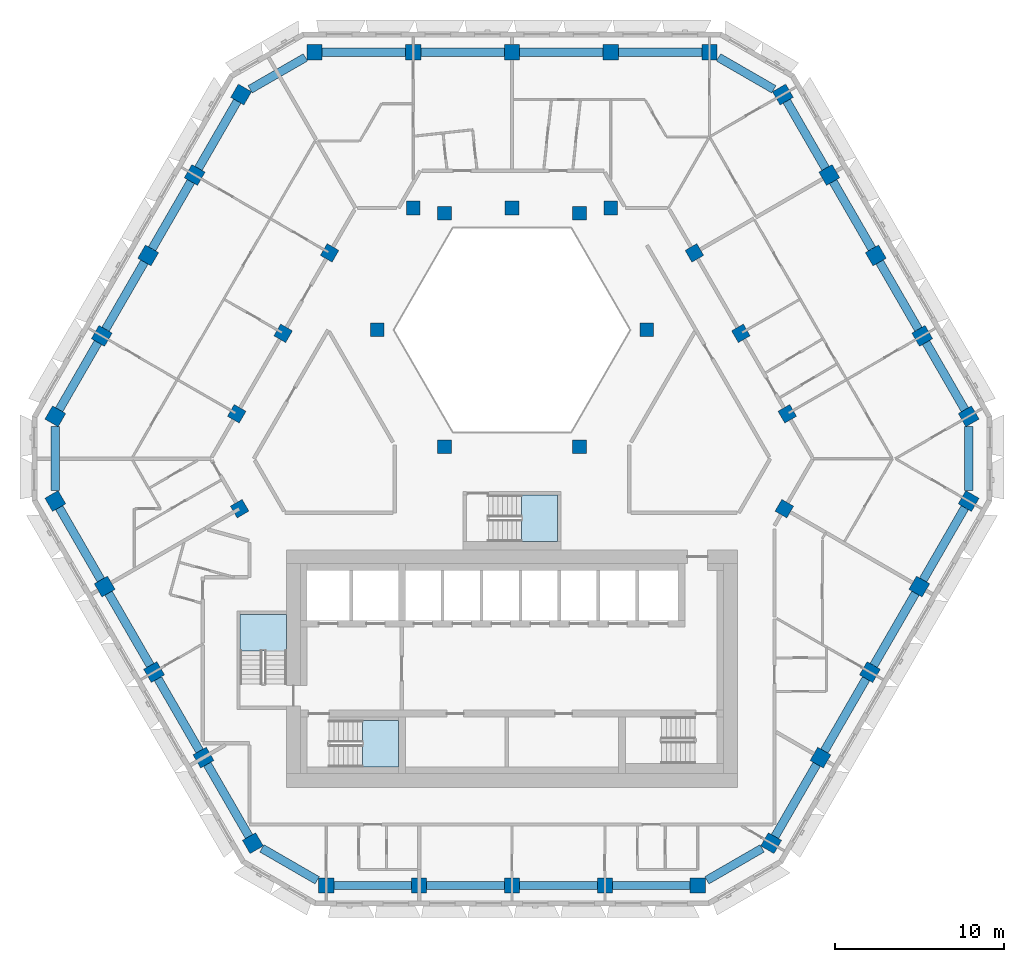
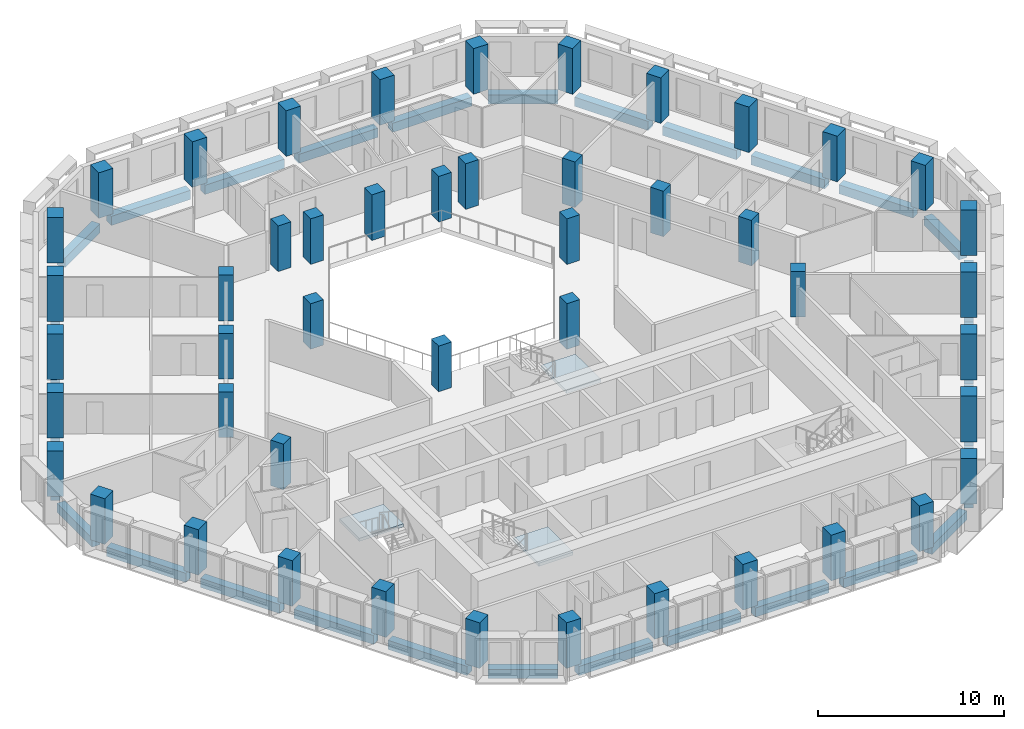
# One storey, part 1 of 17: 47 columns, 30 beams, 3 slabs, 3 elements without a shape of their own.
"""IFC4 building model written with IfcOpenShell, lengths in metres."""

from ifc_helpers import new_model, si_unit, direction, frame, origin, origin_2d, place, context, subcontext, project, spatial, polyline, rectangle, outline, extrude, material, layer, layer_set, material_profile, profile_set, type_object, element, aggregate, save


model = new_model("IFC4")

# Units and contexts
model_context = context("Model", 3, precision=1e-05, world=origin(), true_north=direction((0.0, 1.0)))
body_context = subcontext(model_context, "Body", "Model", "MODEL_VIEW")
ifc_project = project(units=[si_unit("LENGTHUNIT", "METRE"), si_unit("AREAUNIT", "SQUARE_METRE"), si_unit("VOLUMEUNIT", "CUBIC_METRE"), si_unit("PLANEANGLEUNIT", "RADIAN"), si_unit("MASSUNIT", "GRAM", prefix="KILO")], contexts=[model_context])

# Site, building, storey
site_placement = place(None, origin())
site = spatial("IfcSite", under=ifc_project, at=site_placement, CompositionType="ELEMENT")
building_placement = place(site_placement, origin())
building = spatial("IfcBuilding", under=site, at=building_placement, Name="Beryl Residences", CompositionType="ELEMENT")
storey_placement = place(building_placement, frame((0.0, 0.0, 150.60009765625)))
storey = spatial("IfcBuildingStorey", under=building, at=storey_placement, Name="L46", CompositionType="ELEMENT", Elevation=150.60009765625)

# Columns
ifc_material_1 = material(Name="Concrete C60/75", Category="concrete")
ifc_material_profile_1 = material_profile(ifc_material_1, rectangle(XDim=0.89990234375, YDim=0.89990234375, at=origin_2d()))
ifc_profile_set_1 = profile_set([ifc_material_profile_1], Name="Concrete C60/75")
column_type_1 = type_object("IfcColumnType", Name="C3 tube column 900 x 900 C60/75", PredefinedType="COLUMN", material=ifc_profile_set_1)
for number, where, z_axis, x_axis, name in (
    (1, (11.662109375, 24.39990234375, 0.0), (0.0, 0.0, 1.0), (-1.0, 0.0, 0.0), "C3-N1 L46"),
    (2, (5.8310546875, 24.39990234375, 0.0), (0.0, 0.0, 1.0), (-1.0, 0.0, 0.0), "C3-N2 L46"),
    (3, (0.0, 24.39990234375, 0.0), (0.0, 0.0, 1.0), (-1.0, 0.0, 0.0), "C3-N3 L46"),
    (4, (-5.8310546875, 24.39990234375, 0.0), (0.0, 0.0, 1.0), (-1.0, 0.0, 0.0), "C3-N4 L46"),
    (5, (-11.662109375, 24.39990234375, 0.0), (0.0, 0.0, 1.0), (-1.0, 0.0, 0.0), "C3-N5 L46"),
    (6, (-15.992919921875, 21.89990234375, 0.0), (0.0, 0.0, 1.0), (-0.5, -0.866025403784, 0.0), "C3-NW1 L46"),
    (7, (-18.735107421875, 17.14990234375, 0.0), (0.0, 0.0, 1.0), (-0.5, -0.866025403784, 0.0), "C3-NW2 L46"),
    (8, (-21.47802734375, 12.39990234375, 0.0), (0.0, 0.0, 1.0), (-0.5, -0.866025403784, 0.0), "C3-NW3 L46"),
    (9, (-24.219970703125, 7.64990234375, 0.0), (0.0, 0.0, 1.0), (-0.5, -0.866025403784, 0.0), "C3-NW4 L46"),
    (10, (-26.962890625, 2.89990234375, 0.0), (0.0, 0.0, 1.0), (-0.5, -0.866025403784, 0.0), "C3-NW5 L46"),
    (11, (-26.9619140625, -2.10009765625, 0.0), (0.0, 0.0, 1.0), (0.5, -0.866025403784, 0.0), "C3-SW1 L46"),
    (12, (-24.047119140625, -7.14892578125, 0.0), (0.0, 0.0, 1.0), (0.5, -0.866025403784, 0.0), "C3-SW2 L46"),
    (13, (-21.131103515625, -12.198974609375, 0.0), (0.0, 0.0, 1.0), (0.5, -0.866025403784, 0.0), "C3-SW3 L46"),
    (14, (-18.216064453125, -17.2490234375, 0.0), (0.0, 0.0, 1.0), (0.5, -0.866025403784, 0.0), "C3-SW4 L46"),
    (15, (-15.300048828125, -22.299072265625, 0.0), (0.0, 0.0, 1.0), (0.5, -0.866025403784, 0.0), "C3-SW5 L46"),
    (16, (-10.968994140625, -24.800048828125, 0.0), (0.0, 0.0, 1.0), (1.0, 0.0, 0.0), "C3-S1 L46"),
    (17, (-5.48388671875, -24.800048828125, 0.0), (0.0, 0.0, 1.0), (1.0, 0.0, 0.0), "C3-S2 L46"),
    (18, (0.0009765625, -24.800048828125, 0.0), (0.0, 0.0, 1.0), (1.0, 0.0, 0.0), "C3-S3 L46"),
    (19, (5.486083984375, -24.800048828125, 0.0), (0.0, 0.0, 1.0), (1.0, 0.0, 0.0), "C3-S4 L46"),
    (20, (10.970947265625, -24.800048828125, 0.0), (0.0, 0.0, 1.0), (1.0, 0.0, 0.0), "C3-S5 L46"),
    (21, (15.299072265625, -22.300048828125, 0.0), (0.0, 0.0, 1.0), (0.5, 0.866025403784, 0.0), "C3-SE1 L46"),
    (22, (18.215087890625, -17.2509765625, 0.0), (0.0, 0.0, 1.0), (0.5, 0.866025403784, 0.0), "C3-SE2 L46"),
    (23, (21.1298828125, -12.200927734375, 0.0), (0.0, 0.0, 1.0), (0.5, 0.866025403784, 0.0), "C3-SE3 L46"),
    (24, (24.0458984375, -7.15087890625, 0.0), (0.0, 0.0, 1.0), (0.5, 0.866025403784, 0.0), "C3-SE4 L46"),
    (25, (26.9609375, -2.10107421875, 0.0), (0.0, 0.0, 1.0), (0.5, 0.866025403784, 0.0), "C3-SE5 L46"),
    (26, (26.962890625, 2.89990234375, 0.0), (0.0, 0.0, 1.0), (-0.5, 0.866025403784, 0.0), "C3-NE1 L46"),
    (27, (24.219970703125, 7.64990234375, 0.0), (0.0, 0.0, 1.0), (-0.5, 0.866025403784, 0.0), "C3-NE2 L46"),
    (28, (21.47802734375, 12.39990234375, 0.0), (0.0, 0.0, 1.0), (-0.5, 0.866025403784, 0.0), "C3-NE3 L46"),
    (29, (18.735107421875, 17.14990234375, 0.0), (0.0, 0.0, 1.0), (-0.5, 0.866025403784, 0.0), "C3-NE4 L46"),
    (30, (15.992919921875, 21.89990234375, 0.0), (0.0, 0.0, 1.0), (-0.5, 0.866025403784, 0.0), "C3-NE5 L46"),
):
    element("IfcColumn", number, at=place(storey_placement, frame(where, z_axis=z_axis, x_axis=x_axis)), inside=storey, type_object=column_type_1, Name=name, PredefinedType="COLUMN", context=body_context, shape_type="SweptSolid", body=[
        extrude(rectangle(XDim=0.89990234375, YDim=0.89990234375, at=origin_2d()), origin(), (0.0, 0.0, 1.0), 3.0),
    ])
ifc_material_2 = material(Name="Concrete C60/75", Category="concrete")
ifc_material_profile_2 = material_profile(ifc_material_2, rectangle(XDim=0.800048828125, YDim=0.800048828125, at=origin_2d()))
ifc_profile_set_2 = profile_set([ifc_material_profile_2], Name="Concrete C60/75")
column_type_2 = type_object("IfcColumnType", Name="IC3 interior column 800 x 800 C60/75", PredefinedType="COLUMN", material=ifc_profile_set_2)
for number, where, z_axis, x_axis, name in (
    (31, (-16.0791015625, -2.549072265625, 0.0), (0.0, 0.0, 1.0), (0.5, -0.866025403784, 0.0), "IC3-M01 L46"),
    (32, (16.077880859375, -2.551025390625, 0.0), (0.0, 0.0, 1.0), (0.5, 0.866025403784, 0.0), "IC3-M02 L46"),
    (33, (16.2529296875, 3.050048828125, 0.0), (0.0, 0.0, 1.0), (-0.5, 0.866025403784, 0.0), "IC3-M03 L46"),
    (34, (3.98388671875, 1.10009765625, 0.0), (0.0, 0.0, 1.0), (1.0, 0.0, 0.0), "IC3-A04 L46"),
    (35, (13.510009765625, 7.800048828125, 0.0), (0.0, 0.0, 1.0), (-0.5, 0.866025403784, 0.0), "IC3-M05 L46"),
    (36, (7.967041015625, 8.0, 0.0), (0.0, 0.0, 1.0), (1.0, 0.0, 0.0), "IC3-A06 L46"),
    (37, (10.76806640625, 12.550048828125, 0.0), (0.0, 0.0, 1.0), (-0.5, 0.866025403784, 0.0), "IC3-M07 L46"),
    (38, (5.8310546875, 15.199951171875, 0.0), (0.0, 0.0, 1.0), (-1.0, 0.0, 0.0), "IC3-M08 L46"),
    (39, (3.98388671875, 14.89990234375, 0.0), (0.0, 0.0, 1.0), (1.0, 0.0, 0.0), "IC3-A09 L46"),
    (40, (0.0, 15.199951171875, 0.0), (0.0, 0.0, 1.0), (-1.0, 0.0, 0.0), "IC3-M10 L46"),
    (41, (-3.98388671875, 14.89990234375, 0.0), (0.0, 0.0, 1.0), (1.0, 0.0, 0.0), "IC3-A11 L46"),
    (42, (-5.8310546875, 15.199951171875, 0.0), (0.0, 0.0, 1.0), (-1.0, 0.0, 0.0), "IC3-M12 L46"),
    (43, (-10.76806640625, 12.550048828125, 0.0), (0.0, 0.0, 1.0), (-0.5, -0.866025403784, 0.0), "IC3-M13 L46"),
    (44, (-7.967041015625, 8.0, 0.0), (0.0, 0.0, 1.0), (1.0, 0.0, 0.0), "IC3-A14 L46"),
    (45, (-13.510009765625, 7.800048828125, 0.0), (0.0, 0.0, 1.0), (-0.5, -0.866025403784, 0.0), "IC3-M15 L46"),
    (46, (-3.98388671875, 1.10009765625, 0.0), (0.0, 0.0, 1.0), (1.0, 0.0, 0.0), "IC3-A16 L46"),
    (47, (-16.2529296875, 3.050048828125, 0.0), (0.0, 0.0, 1.0), (-0.5, -0.866025403784, 0.0), "IC3-M17 L46"),
):
    element("IfcColumn", number, at=place(storey_placement, frame(where, z_axis=z_axis, x_axis=x_axis)), inside=storey, type_object=column_type_2, Name=name, PredefinedType="COLUMN", context=body_context, shape_type="SweptSolid", body=[
        extrude(rectangle(XDim=0.800048828125, YDim=0.800048828125, at=origin_2d()), origin(), (0.0, 0.0, 1.0), 3.0),
    ])

# Beams
ifc_material_3 = material(Name="Concrete C60/75", Category="concrete")
ifc_material_profile_3 = material_profile(ifc_material_3, rectangle(XDim=0.5, YDim=0.60009765625, at=origin_2d()))
ifc_profile_set_3 = profile_set([ifc_material_profile_3], Name="Concrete C60/75")
beam_type = type_object("IfcBeamType", Name="SB3 spandrel beam 500 x 600 C60/75", PredefinedType="SPANDREL", material=ifc_profile_set_3)
beam_1_placement = place(storey_placement, frame((11.2119140625, 24.39990234375, -0.60009765625), z_axis=(-1.0, 0.0, 0.0), x_axis=(0.0, -1.0, 0.0)))
element("IfcBeam", 48, at=beam_1_placement, inside=storey, type_object=beam_type, Name="SB3 L46 N-0", PredefinedType="SPANDREL", context=body_context, shape_type="SweptSolid", body=[
    extrude(rectangle(XDim=0.5, YDim=0.60009765625, at=origin_2d()), origin(), (0.0, 0.0, 1.0), 4.930908203125),
])
for number, where, z_axis, x_axis, name in (
    (49, (5.381103515625, 24.39990234375, -0.60009765625), (-1.0, 0.0, 0.0), (0.0, -1.0, 0.0), "SB3 L46 N-1"),
    (50, (-0.449951171875, 24.39990234375, -0.60009765625), (-1.0, 0.0, 0.0), (0.0, -1.0, 0.0), "SB3 L46 N-2"),
):
    element("IfcBeam", number, at=place(storey_placement, frame(where, z_axis=z_axis, x_axis=x_axis)), inside=storey, type_object=beam_type, Name=name, PredefinedType="SPANDREL", context=body_context, shape_type="SweptSolid", body=[
        extrude(rectangle(XDim=0.5, YDim=0.60009765625, at=origin_2d()), origin(), (0.0, 0.0, 1.0), 4.93115234375),
    ])
beam_2_placement = place(storey_placement, frame((-6.281005859375, 24.39990234375, -0.60009765625), z_axis=(-1.0, 0.0, 0.0), x_axis=(0.0, -1.0, 0.0)))
element("IfcBeam", 51, at=beam_2_placement, inside=storey, type_object=beam_type, Name="SB3 L46 N-3", PredefinedType="SPANDREL", context=body_context, shape_type="SweptSolid", body=[
    extrude(rectangle(XDim=0.5, YDim=0.60009765625, at=origin_2d()), origin(), (0.0, 0.0, 1.0), 4.930908203125),
])
beam_3_placement = place(storey_placement, frame((-12.194091796875, 24.093017578125, -0.60009765625), z_axis=(-0.866040087317, -0.499974566514, 0.0), x_axis=(0.499974566514, -0.866040087317, 0.0)))
element("IfcBeam", 52, at=beam_3_placement, inside=storey, type_object=beam_type, Name="SB3 L46 N-4", PredefinedType="SPANDREL", context=body_context, shape_type="SweptSolid", body=[
    extrude(rectangle(XDim=0.5, YDim=0.60009765625, at=origin_2d()), origin(), (0.0, 0.0, 1.0), 3.772216796875),
])
beam_4_placement = place(storey_placement, frame((-16.218017578125, 21.510009765625, -0.60009765625), z_axis=(-0.49998830735, -0.866032154434, 0.0), x_axis=(0.866032154434, -0.49998830735, 0.0)))
element("IfcBeam", 53, at=beam_4_placement, inside=storey, type_object=beam_type, Name="SB3 L46 NW-0", PredefinedType="SPANDREL", context=body_context, shape_type="SweptSolid", body=[
    extrude(rectangle(XDim=0.5, YDim=0.60009765625, at=origin_2d()), origin(), (0.0, 0.0, 1.0), 4.583984375),
])
beam_5_placement = place(storey_placement, frame((-18.9599609375, 16.760009765625, -0.60009765625), z_axis=(-0.500148059018, -0.865939904993, 0.0), x_axis=(0.865939904993, -0.500148059018, 0.0)))
element("IfcBeam", 54, at=beam_5_placement, inside=storey, type_object=beam_type, Name="SB3 L46 NW-1", PredefinedType="SPANDREL", context=body_context, shape_type="SweptSolid", body=[
    extrude(rectangle(XDim=0.5, YDim=0.60009765625, at=origin_2d()), origin(), (0.0, 0.0, 1.0), 4.58447265625),
])
beam_6_placement = place(storey_placement, frame((-21.702880859375, 12.010009765625, -0.60009765625), z_axis=(-0.500028250054, -0.866009092994, 0.0), x_axis=(0.866009092994, -0.500028250054, 0.0)))
element("IfcBeam", 55, at=beam_6_placement, inside=storey, type_object=beam_type, Name="SB3 L46 NW-2", PredefinedType="SPANDREL", context=body_context, shape_type="SweptSolid", body=[
    extrude(rectangle(XDim=0.5, YDim=0.60009765625, at=origin_2d()), origin(), (0.0, 0.0, 1.0), 4.584228515625),
])
beam_7_placement = place(storey_placement, frame((-24.445068359375, 7.260009765625, -0.60009765625), z_axis=(-0.500148059018, -0.865939904993, 0.0), x_axis=(0.865939904993, -0.500148059018, 0.0)))
element("IfcBeam", 56, at=beam_7_placement, inside=storey, type_object=beam_type, Name="SB3 L46 NW-3", PredefinedType="SPANDREL", context=body_context, shape_type="SweptSolid", body=[
    extrude(rectangle(XDim=0.5, YDim=0.60009765625, at=origin_2d()), origin(), (0.0, 0.0, 1.0), 4.58447265625),
])
beam_8_placement = place(storey_placement, frame((-26.962890625, 2.285888671875, -0.60009765625), z_axis=(0.000258899668, -0.999999966485, 0.0), x_axis=(0.999999966485, 0.000258899668, 0.0)))
element("IfcBeam", 57, at=beam_8_placement, inside=storey, type_object=beam_type, Name="SB3 L46 NW-4", PredefinedType="SPANDREL", context=body_context, shape_type="SweptSolid", body=[
    extrude(rectangle(XDim=0.5, YDim=0.60009765625, at=origin_2d()), origin(), (0.0, 0.0, 1.0), 3.77197265625),
])
beam_9_placement = place(storey_placement, frame((-26.737060546875, -2.489990234375, -0.60009765625), z_axis=(0.50005397607, -0.865994238443, 0.0), x_axis=(0.865994238443, 0.50005397607, 0.0)))
element("IfcBeam", 58, at=beam_9_placement, inside=storey, type_object=beam_type, Name="SB3 L46 SW-0", PredefinedType="SPANDREL", context=body_context, shape_type="SweptSolid", body=[
    extrude(rectangle(XDim=0.5, YDim=0.60009765625, at=origin_2d()), origin(), (0.0, 0.0, 1.0), 4.9296875),
])
beam_10_placement = place(storey_placement, frame((-23.822021484375, -7.5390625, -0.60009765625), z_axis=(0.500116736097, -0.865957995677, 0.0), x_axis=(0.865957995677, 0.500116736097, 0.0)))
element("IfcBeam", 59, at=beam_10_placement, inside=storey, type_object=beam_type, Name="SB3 L46 SW-1", PredefinedType="SPANDREL", context=body_context, shape_type="SweptSolid", body=[
    extrude(rectangle(XDim=0.5, YDim=0.60009765625, at=origin_2d()), origin(), (0.0, 0.0, 1.0), 4.930908203125),
])
beam_11_placement = place(storey_placement, frame((-20.906005859375, -12.589111328125, -0.60009765625), z_axis=(0.499989643469, -0.866031383048, 0.0), x_axis=(0.866031383048, 0.499989643469, 0.0)))
element("IfcBeam", 60, at=beam_11_placement, inside=storey, type_object=beam_type, Name="SB3 L46 SW-2", PredefinedType="SPANDREL", context=body_context, shape_type="SweptSolid", body=[
    extrude(rectangle(XDim=0.5, YDim=0.60009765625, at=origin_2d()), origin(), (0.0, 0.0, 1.0), 4.93017578125),
])
beam_12_placement = place(storey_placement, frame((-17.990966796875, -17.638916015625, -0.60009765625), z_axis=(0.500116736097, -0.865957995677, 0.0), x_axis=(0.865957995677, 0.500116736097, 0.0)))
element("IfcBeam", 61, at=beam_12_placement, inside=storey, type_object=beam_type, Name="SB3 L46 SW-3", PredefinedType="SPANDREL", context=body_context, shape_type="SweptSolid", body=[
    extrude(rectangle(XDim=0.5, YDim=0.60009765625, at=origin_2d()), origin(), (0.0, 0.0, 1.0), 4.930908203125),
])
beam_13_placement = place(storey_placement, frame((-14.76806640625, -22.60595703125, -0.60009765625), z_axis=(0.865944170592, -0.500140673629, 0.0), x_axis=(0.500140673629, 0.865944170592, 0.0)))
element("IfcBeam", 62, at=beam_13_placement, inside=storey, type_object=beam_type, Name="SB3 L46 SW-4", PredefinedType="SPANDREL", context=body_context, shape_type="SweptSolid", body=[
    extrude(rectangle(XDim=0.5, YDim=0.60009765625, at=origin_2d()), origin(), (0.0, 0.0, 1.0), 3.77294921875),
])
for number, where, z_axis, x_axis, name in (
    (63, (-10.51904296875, -24.800048828125, -0.60009765625), (1.0, 0.0, 0.0), (0.0, 1.0, 0.0), "SB3 L46 S-0"),
    (64, (-5.033935546875, -24.800048828125, -0.60009765625), (1.0, 0.0, 0.0), (0.0, 1.0, 0.0), "SB3 L46 S-1"),
    (65, (0.450927734375, -24.800048828125, -0.60009765625), (1.0, 0.0, 0.0), (0.0, 1.0, 0.0), "SB3 L46 S-2"),
    (66, (5.93603515625, -24.800048828125, -0.60009765625), (1.0, 0.0, 0.0), (0.0, 1.0, 0.0), "SB3 L46 S-3"),
):
    element("IfcBeam", number, at=place(storey_placement, frame(where, z_axis=z_axis, x_axis=x_axis)), inside=storey, type_object=beam_type, Name=name, PredefinedType="SPANDREL", context=body_context, shape_type="SweptSolid", body=[
        extrude(rectangle(XDim=0.5, YDim=0.60009765625, at=origin_2d()), origin(), (0.0, 0.0, 1.0), 4.5849609375),
    ])
beam_14_placement = place(storey_placement, frame((11.5029296875, -24.492919921875, -0.60009765625), z_axis=(0.865861956233, 0.500282992663, 0.0), x_axis=(-0.500282992663, 0.865861956233, 0.0)))
element("IfcBeam", 67, at=beam_14_placement, inside=storey, type_object=beam_type, Name="SB3 L46 S-4", PredefinedType="SPANDREL", context=body_context, shape_type="SweptSolid", body=[
    extrude(rectangle(XDim=0.5, YDim=0.60009765625, at=origin_2d()), origin(), (0.0, 0.0, 1.0), 3.769775390625),
])
beam_15_placement = place(storey_placement, frame((15.52392578125, -21.909912109375, -0.60009765625), z_axis=(0.500223967704, 0.86589605735, 0.0), x_axis=(-0.86589605735, 0.500223967704, 0.0)))
element("IfcBeam", 68, at=beam_15_placement, inside=storey, type_object=beam_type, Name="SB3 L46 SE-0", PredefinedType="SPANDREL", context=body_context, shape_type="SweptSolid", body=[
    extrude(rectangle(XDim=0.5, YDim=0.60009765625, at=origin_2d()), origin(), (0.0, 0.0, 1.0), 4.929931640625),
])
beam_16_placement = place(storey_placement, frame((18.43994140625, -16.861083984375, -0.60009765625), z_axis=(0.499968202334, 0.866043761397, 0.0), x_axis=(-0.866043761397, 0.499968202334, 0.0)))
element("IfcBeam", 69, at=beam_16_placement, inside=storey, type_object=beam_type, Name="SB3 L46 SE-1", PredefinedType="SPANDREL", context=body_context, shape_type="SweptSolid", body=[
    extrude(rectangle(XDim=0.5, YDim=0.60009765625, at=origin_2d()), origin(), (0.0, 0.0, 1.0), 4.930419921875),
])
beam_17_placement = place(storey_placement, frame((21.35498046875, -11.81103515625, -0.60009765625), z_axis=(0.500116736097, 0.865957995677, 0.0), x_axis=(-0.865957995677, 0.500116736097, 0.0)))
element("IfcBeam", 70, at=beam_17_placement, inside=storey, type_object=beam_type, Name="SB3 L46 SE-2", PredefinedType="SPANDREL", context=body_context, shape_type="SweptSolid", body=[
    extrude(rectangle(XDim=0.5, YDim=0.60009765625, at=origin_2d()), origin(), (0.0, 0.0, 1.0), 4.930908203125),
])
beam_18_placement = place(storey_placement, frame((24.27099609375, -6.760986328125, -0.60009765625), z_axis=(0.499968202334, 0.866043761397, 0.0), x_axis=(-0.866043761397, 0.499968202334, 0.0)))
element("IfcBeam", 71, at=beam_18_placement, inside=storey, type_object=beam_type, Name="SB3 L46 SE-3", PredefinedType="SPANDREL", context=body_context, shape_type="SweptSolid", body=[
    extrude(rectangle(XDim=0.5, YDim=0.60009765625, at=origin_2d()), origin(), (0.0, 0.0, 1.0), 4.930419921875),
])
beam_19_placement = place(storey_placement, frame((26.9609375, -1.487060546875, -0.60009765625), z_axis=(0.00051766526, 0.999999866011, 0.0), x_axis=(-0.999999866011, 0.00051766526, 0.0)))
element("IfcBeam", 72, at=beam_19_placement, inside=storey, type_object=beam_type, Name="SB3 L46 SE-4", PredefinedType="SPANDREL", context=body_context, shape_type="SweptSolid", body=[
    extrude(rectangle(XDim=0.5, YDim=0.60009765625, at=origin_2d()), origin(), (0.0, 0.0, 1.0), 3.77294921875),
])
beam_20_placement = place(storey_placement, frame((26.738037109375, 3.2900390625, -0.60009765625), z_axis=(-0.500148059018, 0.865939904993, 0.0), x_axis=(-0.865939904993, -0.500148059018, 0.0)))
element("IfcBeam", 73, at=beam_20_placement, inside=storey, type_object=beam_type, Name="SB3 L46 NE-0", PredefinedType="SPANDREL", context=body_context, shape_type="SweptSolid", body=[
    extrude(rectangle(XDim=0.5, YDim=0.60009765625, at=origin_2d()), origin(), (0.0, 0.0, 1.0), 4.58447265625),
])
beam_21_placement = place(storey_placement, frame((23.9951171875, 8.0400390625, -0.60009765625), z_axis=(-0.500028250054, 0.866009092994, 0.0), x_axis=(-0.866009092994, -0.500028250054, 0.0)))
element("IfcBeam", 74, at=beam_21_placement, inside=storey, type_object=beam_type, Name="SB3 L46 NE-1", PredefinedType="SPANDREL", context=body_context, shape_type="SweptSolid", body=[
    extrude(rectangle(XDim=0.5, YDim=0.60009765625, at=origin_2d()), origin(), (0.0, 0.0, 1.0), 4.584228515625),
])
beam_22_placement = place(storey_placement, frame((21.2529296875, 12.7900390625, -0.60009765625), z_axis=(-0.500148059018, 0.865939904993, 0.0), x_axis=(-0.865939904993, -0.500148059018, 0.0)))
element("IfcBeam", 75, at=beam_22_placement, inside=storey, type_object=beam_type, Name="SB3 L46 NE-2", PredefinedType="SPANDREL", context=body_context, shape_type="SweptSolid", body=[
    extrude(rectangle(XDim=0.5, YDim=0.60009765625, at=origin_2d()), origin(), (0.0, 0.0, 1.0), 4.58447265625),
])
beam_23_placement = place(storey_placement, frame((18.510009765625, 17.5400390625, -0.60009765625), z_axis=(-0.49998830735, 0.866032154434, 0.0), x_axis=(-0.866032154434, -0.49998830735, 0.0)))
element("IfcBeam", 76, at=beam_23_placement, inside=storey, type_object=beam_type, Name="SB3 L46 NE-3", PredefinedType="SPANDREL", context=body_context, shape_type="SweptSolid", body=[
    extrude(rectangle(XDim=0.5, YDim=0.60009765625, at=origin_2d()), origin(), (0.0, 0.0, 1.0), 4.583984375),
])
beam_24_placement = place(storey_placement, frame((15.4609375, 22.20703125, -0.60009765625), z_axis=(-0.866040087317, 0.499974566514, 0.0), x_axis=(-0.499974566514, -0.866040087317, 0.0)))
element("IfcBeam", 77, at=beam_24_placement, inside=storey, type_object=beam_type, Name="SB3 L46 NE-4", PredefinedType="SPANDREL", context=body_context, shape_type="SweptSolid", body=[
    extrude(rectangle(XDim=0.5, YDim=0.60009765625, at=origin_2d()), origin(), (0.0, 0.0, 1.0), 3.772216796875),
])

# Stair, slab
ifc_material_4 = material(Name="Concrete C40/50", Category="concrete")
stair_type = type_object("IfcStairType", Name="ST1 protected exit stair, half-turn, 1300 mm flights", PredefinedType="HALF_TURN_STAIR", material=ifc_material_4)
stair_1_placement = place(storey_placement, origin())
stair_1 = element("IfcStair", 78, at=stair_1_placement, inside=storey, type_object=stair_type, Name="L46 PROTECTED EXIT STAIR ST-1", PredefinedType="HALF_TURN_STAIR")
ifc_material_5 = material(Name="Concrete C40/50", Category="concrete")
ifc_layer = layer(ifc_material_5, 0.199951171875)
ifc_layer_set = layer_set([ifc_layer], Name="SLD1 stair landing 200 mm")
slab_type = type_object("IfcSlabType", Name="SLD1 stair landing 200 mm", PredefinedType="LANDING", material=ifc_layer_set)
slab_1_placement = place(storey_placement, frame((0.0, 0.0, 1.2998046875)))
slab_1 = element("IfcSlab", 79, at=slab_1_placement, type_object=slab_type, Name="ST-1 landing 1", PredefinedType="LANDING", context=body_context, shape_type="SweptSolid", body=[
    extrude(outline(polyline([(-8.840087890625, -17.800048828125), (-6.699951171875, -17.800048828125), (-6.699951171875, -15.050048828125), (-8.840087890625, -15.050048828125), (-8.840087890625, -17.800048828125)])), origin(), (0.0, 0.0, 1.0), 0.2001953125),
])
aggregate(stair_1, [slab_1])

stair_2_placement = place(storey_placement, origin())
stair_2 = element("IfcStair", 80, at=stair_2_placement, inside=storey, type_object=stair_type, Name="L46 PROTECTED EXIT STAIR ST-2", PredefinedType="HALF_TURN_STAIR")
slab_2_placement = place(storey_placement, frame((0.0, 0.0, 1.2998046875)))
slab_2 = element("IfcSlab", 81, at=slab_2_placement, type_object=slab_type, Name="ST-2 landing 1", PredefinedType="LANDING", context=body_context, shape_type="SweptSolid", body=[
    extrude(outline(polyline([(-13.300048828125, -10.93994140625), (-13.300048828125, -8.800048828125), (-16.050048828125, -8.800048828125), (-16.050048828125, -10.93994140625), (-13.300048828125, -10.93994140625)])), origin(), (0.0, 0.0, 1.0), 0.2001953125),
])
aggregate(stair_2, [slab_2])

stair_3_placement = place(storey_placement, origin())
stair_3 = element("IfcStair", 82, at=stair_3_placement, inside=storey, type_object=stair_type, Name="L46 PROTECTED EXIT STAIR ST-4", PredefinedType="HALF_TURN_STAIR")
slab_3_placement = place(storey_placement, frame((0.0, 0.0, 1.2998046875)))
slab_3 = element("IfcSlab", 83, at=slab_3_placement, type_object=slab_type, Name="ST-4 landing 1", PredefinedType="LANDING", context=body_context, shape_type="SweptSolid", body=[
    extrude(outline(polyline([(0.56005859375, -4.5), (2.699951171875, -4.5), (2.699951171875, -1.75), (0.56005859375, -1.75), (0.56005859375, -4.5)])), origin(), (0.0, 0.0, 1.0), 0.2001953125),
])
aggregate(stair_3, [slab_3])

save(model, "model.ifc")
